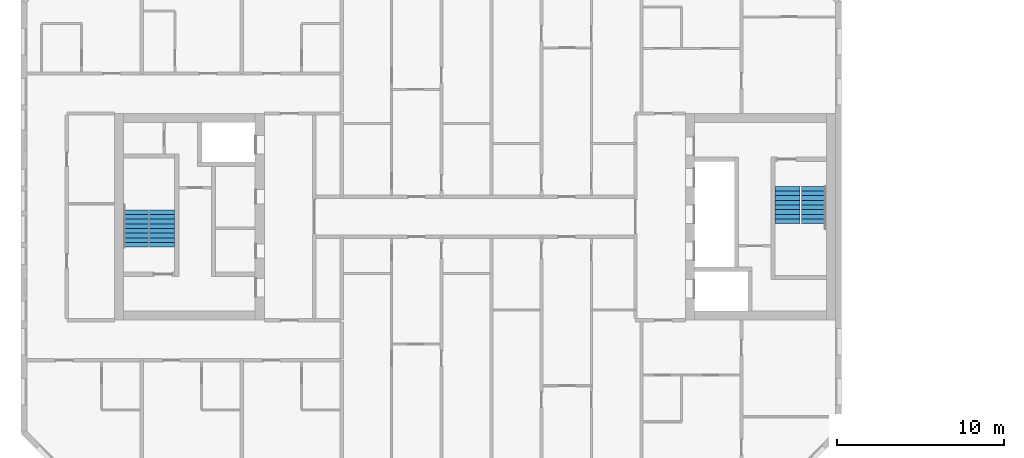
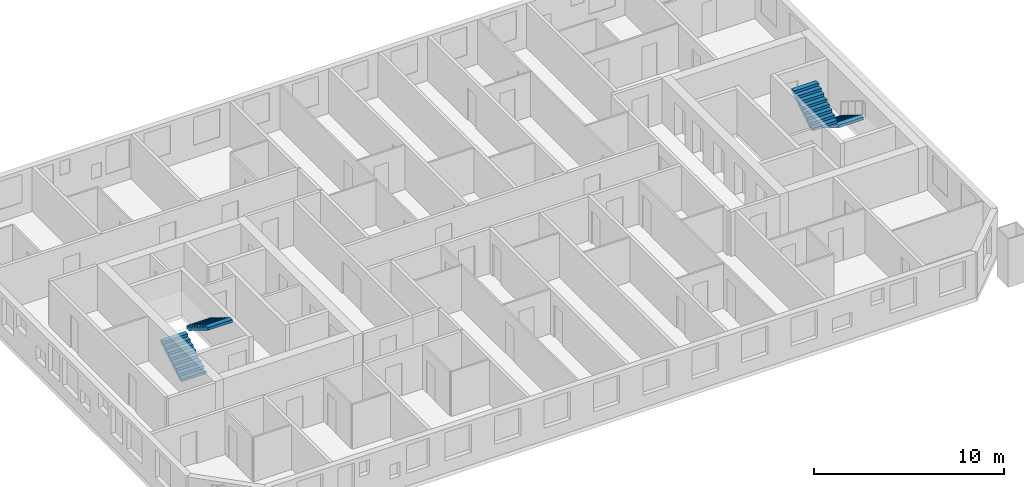
# One storey, part 16 of 17: 4 stair flights, 2 elements without a shape of their own.
"""IFC4 building model written with IfcOpenShell, lengths in metres."""

from ifc_helpers import new_model, si_unit, direction, frame, origin, place, context, subcontext, project, spatial, faceted_brep, material, type_object, element, aggregate, save


model = new_model("IFC4")

# Units and contexts
model_context = context("Model", 3, precision=1e-05, world=origin(), true_north=direction((0.0, 1.0)))
body_context = subcontext(model_context, "Body", "Model", "MODEL_VIEW")
ifc_project = project(units=[si_unit("LENGTHUNIT", "METRE"), si_unit("AREAUNIT", "SQUARE_METRE"), si_unit("VOLUMEUNIT", "CUBIC_METRE"), si_unit("PLANEANGLEUNIT", "RADIAN"), si_unit("MASSUNIT", "GRAM", prefix="KILO")], contexts=[model_context])

# Site, building, storey
site_placement = place(None, origin())
site = spatial("IfcSite", under=ifc_project, at=site_placement, CompositionType="ELEMENT")
building_placement = place(site_placement, origin())
building = spatial("IfcBuilding", under=site, at=building_placement, Name="Tuart Gate Housing", CompositionType="ELEMENT")
storey_placement = place(building_placement, frame((0.0, 0.0, 126.800048828125)))
storey = spatial("IfcBuildingStorey", under=building, at=storey_placement, Name="L35", CompositionType="ELEMENT", Elevation=126.800048828125)

# Stair, stair flights
ifc_material_1 = material(Name="Concrete C40", Category="concrete")
stair_type = type_object("IfcStairType", Name="Core stair 1500", PredefinedType="HALF_TURN_STAIR", material=ifc_material_1)
stair_1_placement = place(storey_placement, origin())
stair_1 = element("IfcStair", 1, at=stair_1_placement, inside=storey, type_object=stair_type, Name="Stair SA1", PredefinedType="HALF_TURN_STAIR")
ifc_material_2 = material(Name="Concrete C40", Category="concrete")
stair_flight_type = type_object("IfcStairFlightType", Name="Stair flight 1500, 9 risers 172 x 280", PredefinedType="STRAIGHT", material=ifc_material_2)
stair_flight_1_placement = place(storey_placement, frame((74.340087890625, 71.824951171875, 0.0), z_axis=(0.0, 0.0, 1.0), x_axis=(0.0, -1.0, 0.0)))
stair_flight_1 = element("IfcStairFlight", 2, at=stair_flight_1_placement, type_object=stair_flight_type, Name="SA1 flight 1", NumberOfRisers=9, NumberOfTreads=8, PredefinedType="STRAIGHT", RiserHeight=0.172222222, TreadLength=0.28, context=body_context, shape_type="Brep", body=[
    faceted_brep([(0.0, 0.75, 0.0), (0.0, 0.75, 0.172119140625), (0.280029296875, 0.75, 0.172119140625), (0.280029296875, 0.75, 0.344482421875), (0.56005859375, 0.75, 0.344482421875), (0.56005859375, 0.75, 0.5166015625), (0.840087890625, 0.75, 0.5166015625), (0.840087890625, 0.75, 0.68896484375), (1.1201171875, 0.75, 0.68896484375), (1.1201171875, 0.75, 0.861083984375), (1.39990234375, 0.75, 0.861083984375), (1.39990234375, 0.75, 1.033447265625), (1.679931640625, 0.75, 1.033447265625), (1.679931640625, 0.75, 1.20556640625), (1.9599609375, 0.75, 1.20556640625), (1.9599609375, 0.75, 1.377685546875), (2.239990234375, 0.75, 1.377685546875), (2.239990234375, 0.75, 1.201904296875), (0.2861328125, 0.75, 0.0), (0.2861328125, -0.75, 0.0), (2.239990234375, -0.75, 1.201904296875), (2.239990234375, -0.75, 1.377685546875), (1.9599609375, -0.75, 1.377685546875), (1.9599609375, -0.75, 1.20556640625), (1.679931640625, -0.75, 1.20556640625), (1.679931640625, -0.75, 1.033447265625), (1.39990234375, -0.75, 1.033447265625), (1.39990234375, -0.75, 0.861083984375), (1.1201171875, -0.75, 0.861083984375), (1.1201171875, -0.75, 0.68896484375), (0.840087890625, -0.75, 0.68896484375), (0.840087890625, -0.75, 0.5166015625), (0.56005859375, -0.75, 0.5166015625), (0.56005859375, -0.75, 0.344482421875), (0.280029296875, -0.75, 0.344482421875), (0.280029296875, -0.75, 0.172119140625), (0.0, -0.75, 0.172119140625), (0.0, -0.75, 0.0), (2.239990234375, 0.0, 1.201904296875), (0.2861328125, 0.0, 0.0), (2.239990234375, 0.0, 1.377685546875), (1.9599609375, 0.0, 1.377685546875), (1.9599609375, 0.0, 1.20556640625), (1.679931640625, 0.0, 1.20556640625), (1.679931640625, 0.0, 1.033447265625), (1.39990234375, 0.0, 1.033447265625), (1.39990234375, 0.0, 0.861083984375), (1.1201171875, 0.0, 0.861083984375), (1.1201171875, 0.0, 0.68896484375), (0.840087890625, 0.0, 0.68896484375), (0.840087890625, 0.0, 0.5166015625), (0.56005859375, 0.0, 0.5166015625), (0.56005859375, 0.0, 0.344482421875), (0.280029296875, 0.0, 0.344482421875), (0.280029296875, 0.0, 0.172119140625), (0.0, 0.0, 0.172119140625), (0.0, 0.0, 0.0)], [[[0, 1, 2, 3, 4, 5, 6, 7, 8, 9, 10, 11, 12, 13, 14, 15, 16, 17, 18]], [[19, 20, 21, 22, 23, 24, 25, 26, 27, 28, 29, 30, 31, 32, 33, 34, 35, 36, 37]], [[18, 17, 38, 39]], [[39, 38, 20, 19]], [[17, 16, 40, 38]], [[38, 40, 21, 20]], [[16, 15, 41, 40]], [[40, 41, 22, 21]], [[15, 14, 42, 41]], [[41, 42, 23, 22]], [[14, 13, 43, 42]], [[42, 43, 24, 23]], [[13, 12, 44, 43]], [[43, 44, 25, 24]], [[12, 11, 45, 44]], [[44, 45, 26, 25]], [[11, 10, 46, 45]], [[45, 46, 27, 26]], [[10, 9, 47, 46]], [[46, 47, 28, 27]], [[9, 8, 48, 47]], [[47, 48, 29, 28]], [[8, 7, 49, 48]], [[48, 49, 30, 29]], [[7, 6, 50, 49]], [[49, 50, 31, 30]], [[6, 5, 51, 50]], [[50, 51, 32, 31]], [[5, 4, 52, 51]], [[51, 52, 33, 32]], [[4, 3, 53, 52]], [[52, 53, 34, 33]], [[3, 2, 54, 53]], [[53, 54, 35, 34]], [[2, 1, 55, 54]], [[54, 55, 36, 35]], [[1, 0, 56, 55]], [[55, 56, 37, 36]], [[0, 18, 39, 56]], [[56, 39, 19, 37]]]),
])
stair_flight_2_placement = place(storey_placement, frame((72.764892578125, 69.5849609375, 1.550048828125), z_axis=(0.0, 0.0, 1.0), x_axis=(0.0, 1.0, 0.0)))
stair_flight_2 = element("IfcStairFlight", 3, at=stair_flight_2_placement, type_object=stair_flight_type, Name="SA1 flight 2", NumberOfRisers=9, NumberOfTreads=8, PredefinedType="STRAIGHT", RiserHeight=0.172222222, TreadLength=0.28, context=body_context, shape_type="Brep", body=[
    faceted_brep([(0.0, 0.75, 0.0), (0.0, 0.75, 0.172119140625), (0.280029296875, 0.75, 0.172119140625), (0.280029296875, 0.75, 0.344482421875), (0.56005859375, 0.75, 0.344482421875), (0.56005859375, 0.75, 0.5166015625), (0.840087890625, 0.75, 0.5166015625), (0.840087890625, 0.75, 0.68896484375), (1.1201171875, 0.75, 0.68896484375), (1.1201171875, 0.75, 0.861083984375), (1.39990234375, 0.75, 0.861083984375), (1.39990234375, 0.75, 1.033447265625), (1.679931640625, 0.75, 1.033447265625), (1.679931640625, 0.75, 1.20556640625), (1.9599609375, 0.75, 1.20556640625), (1.9599609375, 0.75, 1.377685546875), (2.239990234375, 0.75, 1.377685546875), (2.239990234375, 0.75, 1.201904296875), (0.2861328125, 0.75, 0.0), (0.2861328125, -0.75, 0.0), (2.239990234375, -0.75, 1.201904296875), (2.239990234375, -0.75, 1.377685546875), (1.9599609375, -0.75, 1.377685546875), (1.9599609375, -0.75, 1.20556640625), (1.679931640625, -0.75, 1.20556640625), (1.679931640625, -0.75, 1.033447265625), (1.39990234375, -0.75, 1.033447265625), (1.39990234375, -0.75, 0.861083984375), (1.1201171875, -0.75, 0.861083984375), (1.1201171875, -0.75, 0.68896484375), (0.840087890625, -0.75, 0.68896484375), (0.840087890625, -0.75, 0.5166015625), (0.56005859375, -0.75, 0.5166015625), (0.56005859375, -0.75, 0.344482421875), (0.280029296875, -0.75, 0.344482421875), (0.280029296875, -0.75, 0.172119140625), (0.0, -0.75, 0.172119140625), (0.0, -0.75, 0.0), (2.239990234375, 0.0, 1.201904296875), (0.2861328125, 0.0, 0.0), (2.239990234375, 0.0, 1.377685546875), (1.9599609375, 0.0, 1.377685546875), (1.9599609375, 0.0, 1.20556640625), (1.679931640625, 0.0, 1.20556640625), (1.679931640625, 0.0, 1.033447265625), (1.39990234375, 0.0, 1.033447265625), (1.39990234375, 0.0, 0.861083984375), (1.1201171875, 0.0, 0.861083984375), (1.1201171875, 0.0, 0.68896484375), (0.840087890625, 0.0, 0.68896484375), (0.840087890625, 0.0, 0.5166015625), (0.56005859375, 0.0, 0.5166015625), (0.56005859375, 0.0, 0.344482421875), (0.280029296875, 0.0, 0.344482421875), (0.280029296875, 0.0, 0.172119140625), (0.0, 0.0, 0.172119140625), (0.0, 0.0, 0.0)], [[[0, 1, 2, 3, 4, 5, 6, 7, 8, 9, 10, 11, 12, 13, 14, 15, 16, 17, 18]], [[19, 20, 21, 22, 23, 24, 25, 26, 27, 28, 29, 30, 31, 32, 33, 34, 35, 36, 37]], [[18, 17, 38, 39]], [[39, 38, 20, 19]], [[17, 16, 40, 38]], [[38, 40, 21, 20]], [[16, 15, 41, 40]], [[40, 41, 22, 21]], [[15, 14, 42, 41]], [[41, 42, 23, 22]], [[14, 13, 43, 42]], [[42, 43, 24, 23]], [[13, 12, 44, 43]], [[43, 44, 25, 24]], [[12, 11, 45, 44]], [[44, 45, 26, 25]], [[11, 10, 46, 45]], [[45, 46, 27, 26]], [[10, 9, 47, 46]], [[46, 47, 28, 27]], [[9, 8, 48, 47]], [[47, 48, 29, 28]], [[8, 7, 49, 48]], [[48, 49, 30, 29]], [[7, 6, 50, 49]], [[49, 50, 31, 30]], [[6, 5, 51, 50]], [[50, 51, 32, 31]], [[5, 4, 52, 51]], [[51, 52, 33, 32]], [[4, 3, 53, 52]], [[52, 53, 34, 33]], [[3, 2, 54, 53]], [[53, 54, 35, 34]], [[2, 1, 55, 54]], [[54, 55, 36, 35]], [[1, 0, 56, 55]], [[55, 56, 37, 36]], [[0, 18, 39, 56]], [[56, 39, 19, 37]]]),
])
aggregate(stair_1, [stair_flight_1, stair_flight_2])

stair_2_placement = place(storey_placement, origin())
stair_2 = element("IfcStair", 4, at=stair_2_placement, inside=storey, type_object=stair_type, Name="Stair SA2", PredefinedType="HALF_TURN_STAIR")
stair_flight_3_placement = place(storey_placement, frame((33.659912109375, 68.175048828125, 0.0), z_axis=(0.0, 0.0, 1.0), x_axis=(0.0, 1.0, 0.0)))
stair_flight_3 = element("IfcStairFlight", 5, at=stair_flight_3_placement, type_object=stair_flight_type, Name="SA2 flight 1", NumberOfRisers=9, NumberOfTreads=8, PredefinedType="STRAIGHT", RiserHeight=0.172222222, TreadLength=0.28, context=body_context, shape_type="Brep", body=[
    faceted_brep([(0.0, 0.75, 0.0), (0.0, 0.75, 0.172119140625), (0.280029296875, 0.75, 0.172119140625), (0.280029296875, 0.75, 0.344482421875), (0.56005859375, 0.75, 0.344482421875), (0.56005859375, 0.75, 0.5166015625), (0.840087890625, 0.75, 0.5166015625), (0.840087890625, 0.75, 0.68896484375), (1.1201171875, 0.75, 0.68896484375), (1.1201171875, 0.75, 0.861083984375), (1.39990234375, 0.75, 0.861083984375), (1.39990234375, 0.75, 1.033447265625), (1.679931640625, 0.75, 1.033447265625), (1.679931640625, 0.75, 1.20556640625), (1.9599609375, 0.75, 1.20556640625), (1.9599609375, 0.75, 1.377685546875), (2.239990234375, 0.75, 1.377685546875), (2.239990234375, 0.75, 1.201904296875), (0.2861328125, 0.75, 0.0), (0.2861328125, -0.75, 0.0), (2.239990234375, -0.75, 1.201904296875), (2.239990234375, -0.75, 1.377685546875), (1.9599609375, -0.75, 1.377685546875), (1.9599609375, -0.75, 1.20556640625), (1.679931640625, -0.75, 1.20556640625), (1.679931640625, -0.75, 1.033447265625), (1.39990234375, -0.75, 1.033447265625), (1.39990234375, -0.75, 0.861083984375), (1.1201171875, -0.75, 0.861083984375), (1.1201171875, -0.75, 0.68896484375), (0.840087890625, -0.75, 0.68896484375), (0.840087890625, -0.75, 0.5166015625), (0.56005859375, -0.75, 0.5166015625), (0.56005859375, -0.75, 0.344482421875), (0.280029296875, -0.75, 0.344482421875), (0.280029296875, -0.75, 0.172119140625), (0.0, -0.75, 0.172119140625), (0.0, -0.75, 0.0), (2.239990234375, 0.0, 1.201904296875), (0.2861328125, 0.0, 0.0), (2.239990234375, 0.0, 1.377685546875), (1.9599609375, 0.0, 1.377685546875), (1.9599609375, 0.0, 1.20556640625), (1.679931640625, 0.0, 1.20556640625), (1.679931640625, 0.0, 1.033447265625), (1.39990234375, 0.0, 1.033447265625), (1.39990234375, 0.0, 0.861083984375), (1.1201171875, 0.0, 0.861083984375), (1.1201171875, 0.0, 0.68896484375), (0.840087890625, 0.0, 0.68896484375), (0.840087890625, 0.0, 0.5166015625), (0.56005859375, 0.0, 0.5166015625), (0.56005859375, 0.0, 0.344482421875), (0.280029296875, 0.0, 0.344482421875), (0.280029296875, 0.0, 0.172119140625), (0.0, 0.0, 0.172119140625), (0.0, 0.0, 0.0)], [[[0, 1, 2, 3, 4, 5, 6, 7, 8, 9, 10, 11, 12, 13, 14, 15, 16, 17, 18]], [[19, 20, 21, 22, 23, 24, 25, 26, 27, 28, 29, 30, 31, 32, 33, 34, 35, 36, 37]], [[18, 17, 38, 39]], [[39, 38, 20, 19]], [[17, 16, 40, 38]], [[38, 40, 21, 20]], [[16, 15, 41, 40]], [[40, 41, 22, 21]], [[15, 14, 42, 41]], [[41, 42, 23, 22]], [[14, 13, 43, 42]], [[42, 43, 24, 23]], [[13, 12, 44, 43]], [[43, 44, 25, 24]], [[12, 11, 45, 44]], [[44, 45, 26, 25]], [[11, 10, 46, 45]], [[45, 46, 27, 26]], [[10, 9, 47, 46]], [[46, 47, 28, 27]], [[9, 8, 48, 47]], [[47, 48, 29, 28]], [[8, 7, 49, 48]], [[48, 49, 30, 29]], [[7, 6, 50, 49]], [[49, 50, 31, 30]], [[6, 5, 51, 50]], [[50, 51, 32, 31]], [[5, 4, 52, 51]], [[51, 52, 33, 32]], [[4, 3, 53, 52]], [[52, 53, 34, 33]], [[3, 2, 54, 53]], [[53, 54, 35, 34]], [[2, 1, 55, 54]], [[54, 55, 36, 35]], [[1, 0, 56, 55]], [[55, 56, 37, 36]], [[0, 18, 39, 56]], [[56, 39, 19, 37]]]),
])
stair_flight_4_placement = place(storey_placement, frame((35.235107421875, 70.4150390625, 1.550048828125), z_axis=(0.0, 0.0, 1.0), x_axis=(0.0, -1.0, 0.0)))
stair_flight_4 = element("IfcStairFlight", 6, at=stair_flight_4_placement, type_object=stair_flight_type, Name="SA2 flight 2", NumberOfRisers=9, NumberOfTreads=8, PredefinedType="STRAIGHT", RiserHeight=0.172222222, TreadLength=0.28, context=body_context, shape_type="Brep", body=[
    faceted_brep([(0.0, 0.75, 0.0), (0.0, 0.75, 0.172119140625), (0.280029296875, 0.75, 0.172119140625), (0.280029296875, 0.75, 0.344482421875), (0.56005859375, 0.75, 0.344482421875), (0.56005859375, 0.75, 0.5166015625), (0.840087890625, 0.75, 0.5166015625), (0.840087890625, 0.75, 0.68896484375), (1.1201171875, 0.75, 0.68896484375), (1.1201171875, 0.75, 0.861083984375), (1.39990234375, 0.75, 0.861083984375), (1.39990234375, 0.75, 1.033447265625), (1.679931640625, 0.75, 1.033447265625), (1.679931640625, 0.75, 1.20556640625), (1.9599609375, 0.75, 1.20556640625), (1.9599609375, 0.75, 1.377685546875), (2.239990234375, 0.75, 1.377685546875), (2.239990234375, 0.75, 1.201904296875), (0.2861328125, 0.75, 0.0), (0.2861328125, -0.75, 0.0), (2.239990234375, -0.75, 1.201904296875), (2.239990234375, -0.75, 1.377685546875), (1.9599609375, -0.75, 1.377685546875), (1.9599609375, -0.75, 1.20556640625), (1.679931640625, -0.75, 1.20556640625), (1.679931640625, -0.75, 1.033447265625), (1.39990234375, -0.75, 1.033447265625), (1.39990234375, -0.75, 0.861083984375), (1.1201171875, -0.75, 0.861083984375), (1.1201171875, -0.75, 0.68896484375), (0.840087890625, -0.75, 0.68896484375), (0.840087890625, -0.75, 0.5166015625), (0.56005859375, -0.75, 0.5166015625), (0.56005859375, -0.75, 0.344482421875), (0.280029296875, -0.75, 0.344482421875), (0.280029296875, -0.75, 0.172119140625), (0.0, -0.75, 0.172119140625), (0.0, -0.75, 0.0), (2.239990234375, 0.0, 1.201904296875), (0.2861328125, 0.0, 0.0), (2.239990234375, 0.0, 1.377685546875), (1.9599609375, 0.0, 1.377685546875), (1.9599609375, 0.0, 1.20556640625), (1.679931640625, 0.0, 1.20556640625), (1.679931640625, 0.0, 1.033447265625), (1.39990234375, 0.0, 1.033447265625), (1.39990234375, 0.0, 0.861083984375), (1.1201171875, 0.0, 0.861083984375), (1.1201171875, 0.0, 0.68896484375), (0.840087890625, 0.0, 0.68896484375), (0.840087890625, 0.0, 0.5166015625), (0.56005859375, 0.0, 0.5166015625), (0.56005859375, 0.0, 0.344482421875), (0.280029296875, 0.0, 0.344482421875), (0.280029296875, 0.0, 0.172119140625), (0.0, 0.0, 0.172119140625), (0.0, 0.0, 0.0)], [[[0, 1, 2, 3, 4, 5, 6, 7, 8, 9, 10, 11, 12, 13, 14, 15, 16, 17, 18]], [[19, 20, 21, 22, 23, 24, 25, 26, 27, 28, 29, 30, 31, 32, 33, 34, 35, 36, 37]], [[18, 17, 38, 39]], [[39, 38, 20, 19]], [[17, 16, 40, 38]], [[38, 40, 21, 20]], [[16, 15, 41, 40]], [[40, 41, 22, 21]], [[15, 14, 42, 41]], [[41, 42, 23, 22]], [[14, 13, 43, 42]], [[42, 43, 24, 23]], [[13, 12, 44, 43]], [[43, 44, 25, 24]], [[12, 11, 45, 44]], [[44, 45, 26, 25]], [[11, 10, 46, 45]], [[45, 46, 27, 26]], [[10, 9, 47, 46]], [[46, 47, 28, 27]], [[9, 8, 48, 47]], [[47, 48, 29, 28]], [[8, 7, 49, 48]], [[48, 49, 30, 29]], [[7, 6, 50, 49]], [[49, 50, 31, 30]], [[6, 5, 51, 50]], [[50, 51, 32, 31]], [[5, 4, 52, 51]], [[51, 52, 33, 32]], [[4, 3, 53, 52]], [[52, 53, 34, 33]], [[3, 2, 54, 53]], [[53, 54, 35, 34]], [[2, 1, 55, 54]], [[54, 55, 36, 35]], [[1, 0, 56, 55]], [[55, 56, 37, 36]], [[0, 18, 39, 56]], [[56, 39, 19, 37]]]),
])
aggregate(stair_2, [stair_flight_3, stair_flight_4])

save(model, "model.ifc")
